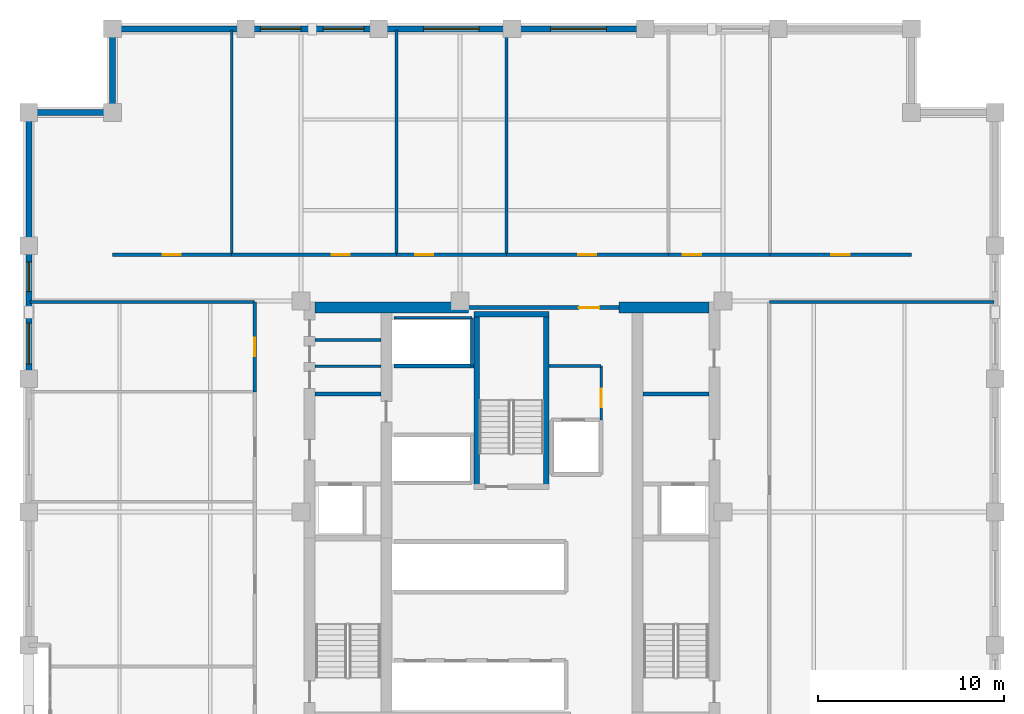
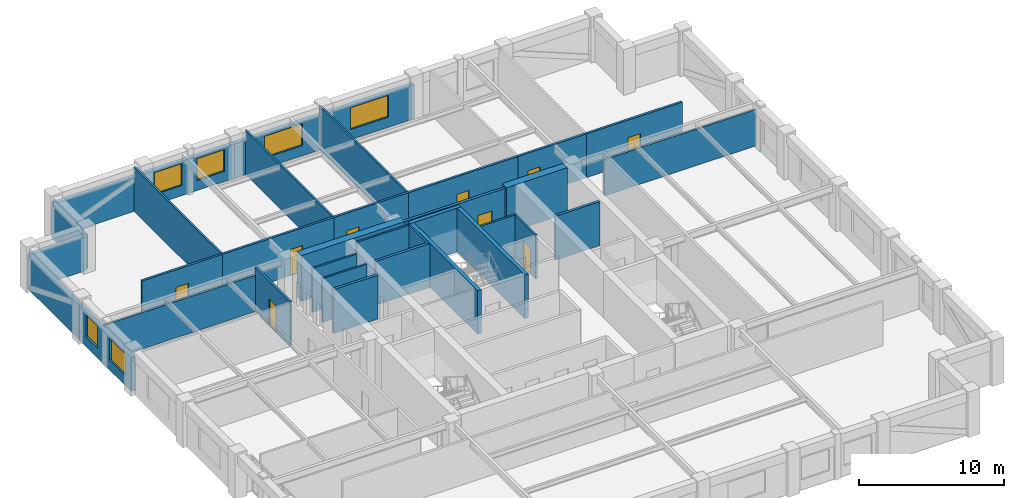
# One storey, part 8 of 11: 35 walls, 9 doors, 6 windows, 15 openings.
"""IFC4 building model written with IfcOpenShell, lengths in metres."""

from ifc_helpers import new_model, si_unit, direction, frame, frame_2d, origin, place, context, subcontext, project, spatial, rectangle, extrude, material, layer, layer_set, type_object, element, fill, save


model = new_model("IFC4")

# Units and contexts
model_context = context("Model", 3, precision=1e-05, world=origin(), true_north=direction((0.0, 1.0)))
body_context = subcontext(model_context, "Body", "Model", "MODEL_VIEW")
ifc_project = project(units=[si_unit("LENGTHUNIT", "METRE"), si_unit("AREAUNIT", "SQUARE_METRE"), si_unit("VOLUMEUNIT", "CUBIC_METRE"), si_unit("PLANEANGLEUNIT", "RADIAN"), si_unit("MASSUNIT", "GRAM", prefix="KILO")], contexts=[model_context])

# Site, building, storey
site_placement = place(None, origin())
site = spatial("IfcSite", under=ifc_project, at=site_placement, CompositionType="ELEMENT")
building_placement = place(site_placement, origin())
building = spatial("IfcBuilding", under=site, at=building_placement, Name="Nhamokura Convention Tower", CompositionType="ELEMENT")
storey_placement = place(building_placement, frame((0.0, 0.0, 168.35009765625)))
storey = spatial("IfcBuildingStorey", under=building, at=storey_placement, Name="L41", CompositionType="ELEMENT", Elevation=168.35009765625)

# Walls
ifc_material_1 = material(Name="Moisture-resistant tile-backer partition", Category="masonry")
ifc_layer_1 = layer(ifc_material_1, 0.139892578125)
ifc_layer_set_1 = layer_set([ifc_layer_1], Name="BathroomWetWall_140")
wall_type_1 = type_object("IfcWallType", Name="BathroomWetWall_140", PredefinedType="STANDARD", material=ifc_layer_set_1)
wall_1_placement = place(storey_placement, frame((21.409912109375, 39.85009765625, 0.0), z_axis=(0.0, 0.0, 1.0), x_axis=(1.0, 0.0, 0.0)))
element("IfcWall", 1, at=wall_1_placement, inside=storey, type_object=wall_type_1, Name="L41 Wall INT-L41-CWNW1", PredefinedType="STANDARD", context=body_context, shape_type="SweptSolid", body=[
    extrude(rectangle(XDim=3.530029296875, YDim=0.139892578125, at=frame_2d((1.76513671875, 0.0))), origin(), (0.0, 0.0, 1.0), 3.684814453125),
])
ifc_material_2 = material(Name="Bronze-pigmented precast concrete C45/55", Category="concrete")
ifc_layer_2 = layer(ifc_material_2, 0.320068359375)
ifc_layer_set_2 = layer_set([ifc_layer_2], Name="BronzePrecastSpandrel_320")
wall_type_2 = type_object("IfcWallType", Name="BronzePrecastSpandrel_320", PredefinedType="USERDEFINED", material=ifc_layer_set_2)
wall_2_placement = place(storey_placement, frame((10.5, 58.0, 0.0), z_axis=(0.0, 0.0, 1.0), x_axis=(1.0, 0.0, 0.0)))
element("IfcWall", 2, at=wall_2_placement, inside=storey, type_object=wall_type_2, Name="L41 Braced-Bay Precast Wall NORTH 0", ObjectType="SPANDREL_WALL", PredefinedType="USERDEFINED", context=body_context, shape_type="SweptSolid", body=[
    extrude(rectangle(XDim=7.166748046875, YDim=0.320068359375, at=frame_2d((3.58349609375, 0.0))), origin(), (0.0, 0.0, 1.0), 2.885009765625),
])

# Wall, openings, windows
wall_3_placement = place(storey_placement, frame((17.666748046875, 58.0, 0.0), z_axis=(0.0, 0.0, 1.0), x_axis=(1.0, 0.0, 0.0)))
wall_3 = element("IfcWall", 3, at=wall_3_placement, inside=storey, type_object=wall_type_2, Name="L41 Masonry-Frame Wall NORTH 1", ObjectType="SPANDREL_WALL", PredefinedType="USERDEFINED", context=body_context, shape_type="SweptSolid", body=[
    extrude(rectangle(XDim=7.16650390625, YDim=0.320068359375, at=frame_2d((3.583251953125, 0.0))), origin(), (0.0, 0.0, 1.0), 2.885009765625),
])
opening_1_placement = place(wall_3_placement, frame((0.791748046875, 0.0, 0.85009765625)))
opening_1 = element("IfcOpeningElement", 4, at=opening_1_placement, cuts=wall_3, Name="Opening W-06", PredefinedType="OPENING", context=body_context, shape_type="SweptSolid", body=[
    extrude(rectangle(XDim=2.199951171875, YDim=1.8349609375, at=frame_2d((1.10009765625, 0.91748046875))), frame((0.0, 0.169921875, 0.0), z_axis=(0.0, -1.0, 0.0), x_axis=(1.0, 0.0, 0.0)), (0.0, 0.0, 1.0), 0.340087890625),
])
opening_2_placement = place(wall_3_placement, frame((4.175048828125, 0.0, 0.85009765625)))
opening_2 = element("IfcOpeningElement", 5, at=opening_2_placement, cuts=wall_3, Name="Opening W-06", PredefinedType="OPENING", context=body_context, shape_type="SweptSolid", body=[
    extrude(rectangle(XDim=2.199951171875, YDim=1.8349609375, at=frame_2d((1.10009765625, 0.91748046875))), frame((0.0, 0.169921875, 0.0), z_axis=(0.0, -1.0, 0.0), x_axis=(1.0, 0.0, 0.0)), (0.0, 0.0, 1.0), 0.340087890625),
])
ifc_material_3 = material(Name="Solar-control bronze low-E double glass", Category="glass")
window_type_1 = type_object("IfcWindowType", Name="OfficeModuleWindow_Z2_2200", PartitioningType="SINGLE_PANEL", PredefinedType="WINDOW", material=ifc_material_3)
window_1_placement = place(opening_1_placement, origin())
window_1 = element("IfcWindow", 6, at=window_1_placement, inside=storey, type_object=window_type_1, Name="L41 Facade Window NORTH 1-1", OverallHeight=1.8349609375, OverallWidth=2.199951171875, PartitioningType="SINGLE_PANEL", PredefinedType="WINDOW", context=body_context, shape_type="SweptSolid", body=[
    extrude(rectangle(XDim=2.199951171875, YDim=1.8349609375, at=frame_2d((1.10009765625, 0.91748046875))), frame((0.0, 0.030029296875, 0.0), z_axis=(0.0, -1.0, 0.0), x_axis=(1.0, 0.0, 0.0)), (0.0, 0.0, 1.0), 0.06005859375),
])
fill(opening_1, window_1)
window_2_placement = place(opening_2_placement, origin())
window_2 = element("IfcWindow", 7, at=window_2_placement, inside=storey, type_object=window_type_1, Name="L41 Facade Window NORTH 1-2", OverallHeight=1.8349609375, OverallWidth=2.199951171875, PartitioningType="SINGLE_PANEL", PredefinedType="WINDOW", context=body_context, shape_type="SweptSolid", body=[
    extrude(rectangle(XDim=2.199951171875, YDim=1.8349609375, at=frame_2d((1.10009765625, 0.91748046875))), frame((0.0, 0.030029296875, 0.0), z_axis=(0.0, -1.0, 0.0), x_axis=(1.0, 0.0, 0.0)), (0.0, 0.0, 1.0), 0.06005859375),
])
fill(opening_2, window_2)

# Wall, opening, window
wall_4_placement = place(storey_placement, frame((24.833251953125, 58.0, 0.0), z_axis=(0.0, 0.0, 1.0), x_axis=(1.0, 0.0, 0.0)))
wall_4 = element("IfcWall", 8, at=wall_4_placement, inside=storey, type_object=wall_type_2, Name="L41 Masonry-Frame Wall NORTH 2", ObjectType="SPANDREL_WALL", PredefinedType="USERDEFINED", context=body_context, shape_type="SweptSolid", body=[
    extrude(rectangle(XDim=7.166748046875, YDim=0.320068359375, at=frame_2d((3.58349609375, 0.0))), origin(), (0.0, 0.0, 1.0), 2.885009765625),
])
opening_3_placement = place(wall_4_placement, frame((2.395751953125, 0.0, 0.85009765625)))
opening_3 = element("IfcOpeningElement", 9, at=opening_3_placement, cuts=wall_4, Name="Opening W-05", PredefinedType="OPENING", context=body_context, shape_type="SweptSolid", body=[
    extrude(rectangle(XDim=3.0, YDim=1.8349609375, at=frame_2d((1.5, 0.91748046875))), frame((0.0, 0.169921875, 0.0), z_axis=(0.0, -1.0, 0.0), x_axis=(1.0, 0.0, 0.0)), (0.0, 0.0, 1.0), 0.340087890625),
])
ifc_material_4 = material(Name="Solar-control bronze low-E double glass", Category="glass")
window_type_2 = type_object("IfcWindowType", Name="OfficeModuleWindow_Z2_3000", PartitioningType="DOUBLE_PANEL_VERTICAL", PredefinedType="WINDOW", material=ifc_material_4)
window_3_placement = place(opening_3_placement, origin())
window_3 = element("IfcWindow", 10, at=window_3_placement, inside=storey, type_object=window_type_2, Name="L41 Facade Window NORTH 2", OverallHeight=1.8349609375, OverallWidth=3.0, PartitioningType="SINGLE_PANEL", PredefinedType="WINDOW", context=body_context, shape_type="SweptSolid", body=[
    extrude(rectangle(XDim=3.0, YDim=1.8349609375, at=frame_2d((1.5, 0.91748046875))), frame((0.0, 0.030029296875, 0.0), z_axis=(0.0, -1.0, 0.0), x_axis=(1.0, 0.0, 0.0)), (0.0, 0.0, 1.0), 0.06005859375),
])
fill(opening_3, window_3)

wall_5_placement = place(storey_placement, frame((32.0, 58.0, 0.0), z_axis=(0.0, 0.0, 1.0), x_axis=(1.0, 0.0, 0.0)))
wall_5 = element("IfcWall", 11, at=wall_5_placement, inside=storey, type_object=wall_type_2, Name="L41 Masonry-Frame Wall NORTH 3", ObjectType="SPANDREL_WALL", PredefinedType="USERDEFINED", context=body_context, shape_type="SweptSolid", body=[
    extrude(rectangle(XDim=7.166748046875, YDim=0.320068359375, at=frame_2d((3.58349609375, 0.0))), origin(), (0.0, 0.0, 1.0), 2.885009765625),
])
opening_4_placement = place(wall_5_placement, frame((2.083251953125, 0.0, 0.85009765625)))
opening_4 = element("IfcOpeningElement", 12, at=opening_4_placement, cuts=wall_5, Name="Opening W-05", PredefinedType="OPENING", context=body_context, shape_type="SweptSolid", body=[
    extrude(rectangle(XDim=3.0, YDim=1.8349609375, at=frame_2d((1.5, 0.91748046875))), frame((0.0, 0.169921875, 0.0), z_axis=(0.0, -1.0, 0.0), x_axis=(1.0, 0.0, 0.0)), (0.0, 0.0, 1.0), 0.340087890625),
])
window_4_placement = place(opening_4_placement, origin())
window_4 = element("IfcWindow", 13, at=window_4_placement, inside=storey, type_object=window_type_2, Name="L41 Facade Window NORTH 3", OverallHeight=1.8349609375, OverallWidth=3.0, PartitioningType="SINGLE_PANEL", PredefinedType="WINDOW", context=body_context, shape_type="SweptSolid", body=[
    extrude(rectangle(XDim=3.0, YDim=1.8349609375, at=frame_2d((1.5, 0.91748046875))), frame((0.0, 0.030029296875, 0.0), z_axis=(0.0, -1.0, 0.0), x_axis=(1.0, 0.0, 0.0)), (0.0, 0.0, 1.0), 0.06005859375),
])
fill(opening_4, window_4)

# Wall, openings, windows
wall_6_placement = place(storey_placement, frame((6.0, 39.166748046875, 0.0), z_axis=(0.0, 0.0, 1.0), x_axis=(0.0, 1.0, 0.0)))
wall_6 = element("IfcWall", 14, at=wall_6_placement, inside=storey, type_object=wall_type_2, Name="L41 Masonry-Frame Wall WEST 4", ObjectType="SPANDREL_WALL", PredefinedType="USERDEFINED", context=body_context, shape_type="SweptSolid", body=[
    extrude(rectangle(XDim=7.16650390625, YDim=0.320068359375, at=frame_2d((3.583251953125, 0.0))), origin(), (0.0, 0.0, 1.0), 2.885009765625),
])
opening_5_placement = place(wall_6_placement, frame((0.791748046875, 0.0, 0.85009765625)))
opening_5 = element("IfcOpeningElement", 15, at=opening_5_placement, cuts=wall_6, Name="Opening W-06", PredefinedType="OPENING", context=body_context, shape_type="SweptSolid", body=[
    extrude(rectangle(XDim=2.199951171875, YDim=1.8349609375, at=frame_2d((1.10009765625, 0.91748046875))), frame((0.0, 0.169921875, 0.0), z_axis=(0.0, -1.0, 0.0), x_axis=(1.0, 0.0, 0.0)), (0.0, 0.0, 1.0), 0.340087890625),
])
opening_6_placement = place(wall_6_placement, frame((4.6875, 0.0, 0.85009765625)))
opening_6 = element("IfcOpeningElement", 16, at=opening_6_placement, cuts=wall_6, Name="Opening W-11", PredefinedType="OPENING", context=body_context, shape_type="SweptSolid", body=[
    extrude(rectangle(XDim=1.60009765625, YDim=1.8349609375, at=frame_2d((0.800048828125, 0.91748046875))), frame((0.0, 0.169921875, 0.0), z_axis=(0.0, -1.0, 0.0), x_axis=(1.0, 0.0, 0.0)), (0.0, 0.0, 1.0), 0.340087890625),
])
ifc_material_5 = material(Name="Solar-control bronze low-E double glass", Category="glass")
window_type_3 = type_object("IfcWindowType", Name="NotchCornerWindow_1600", PartitioningType="SINGLE_PANEL", PredefinedType="WINDOW", material=ifc_material_5)
window_5_placement = place(opening_6_placement, origin())
window_5 = element("IfcWindow", 17, at=window_5_placement, inside=storey, type_object=window_type_3, Name="L41 Facade Window WEST 4-2", OverallHeight=1.8349609375, OverallWidth=1.60009765625, PartitioningType="SINGLE_PANEL", PredefinedType="WINDOW", context=body_context, shape_type="SweptSolid", body=[
    extrude(rectangle(XDim=1.60009765625, YDim=1.8349609375, at=frame_2d((0.800048828125, 0.91748046875))), frame((0.0, 0.030029296875, 0.0), z_axis=(0.0, -1.0, 0.0), x_axis=(1.0, 0.0, 0.0)), (0.0, 0.0, 1.0), 0.06005859375),
])
fill(opening_6, window_5)
window_6_placement = place(opening_5_placement, origin())
window_6 = element("IfcWindow", 18, at=window_6_placement, inside=storey, type_object=window_type_1, Name="L41 Facade Window WEST 4-1", OverallHeight=1.8349609375, OverallWidth=2.199951171875, PartitioningType="SINGLE_PANEL", PredefinedType="WINDOW", context=body_context, shape_type="SweptSolid", body=[
    extrude(rectangle(XDim=2.199951171875, YDim=1.8349609375, at=frame_2d((1.10009765625, 0.91748046875))), frame((0.0, 0.030029296875, 0.0), z_axis=(0.0, -1.0, 0.0), x_axis=(1.0, 0.0, 0.0)), (0.0, 0.0, 1.0), 0.06005859375),
])
fill(opening_5, window_6)

# Walls
wall_7_placement = place(storey_placement, frame((6.0, 46.333251953125, 0.0), z_axis=(0.0, 0.0, 1.0), x_axis=(0.0, 1.0, 0.0)))
element("IfcWall", 19, at=wall_7_placement, inside=storey, type_object=wall_type_2, Name="L41 Braced-Bay Precast Wall WEST 5", ObjectType="SPANDREL_WALL", PredefinedType="USERDEFINED", context=body_context, shape_type="SweptSolid", body=[
    extrude(rectangle(XDim=7.166748046875, YDim=0.320068359375, at=frame_2d((3.58349609375, 0.0))), origin(), (0.0, 0.0, 1.0), 2.885009765625),
])
for number, where, z_axis, x_axis, name in (
    (20, (10.5, 53.5, 0.0), (0.0, 0.0, 1.0), (0.0, 1.0, 0.0), "L41 Notched Corner Wall NW1"),
    (21, (6.0, 53.5, 0.0), (0.0, 0.0, 1.0), (1.0, 0.0, 0.0), "L41 Notched Corner Wall NW2"),
):
    element("IfcWall", number, at=place(storey_placement, frame(where, z_axis=z_axis, x_axis=x_axis)), inside=storey, type_object=wall_type_2, Name=name, ObjectType="SPANDREL_WALL", PredefinedType="USERDEFINED", context=body_context, shape_type="SweptSolid", body=[
        extrude(rectangle(XDim=4.5, YDim=0.320068359375, at=frame_2d((2.25, 0.0))), origin(), (0.0, 0.0, 1.0), 2.885009765625),
    ])
ifc_material_6 = material(Name="Concrete C60/75", Category="concrete")
ifc_layer_3 = layer(ifc_material_6, 0.60009765625)
ifc_layer_set_3 = layer_set([ifc_layer_3], Name="CoreShearWall_600")
wall_type_3 = type_object("IfcWallType", Name="CoreShearWall_600", PredefinedType="SHEAR", material=ifc_layer_set_3)
wall_8_placement = place(storey_placement, frame((21.409912109375, 43.0, 0.0), z_axis=(0.0, 0.0, 1.0), x_axis=(1.0, 0.0, 0.0)))
element("IfcWall", 22, at=wall_8_placement, inside=storey, type_object=wall_type_3, Name="L41 Core Shear Wall CW-N1", PredefinedType="SHEAR", context=body_context, shape_type="SweptSolid", body=[
    extrude(rectangle(XDim=8.239990234375, YDim=0.60009765625, at=frame_2d((4.1201171875, 0.0))), origin(), (0.0, 0.0, 1.0), 3.849853515625),
])
wall_9_placement = place(storey_placement, frame((37.75, 43.0, 0.0), z_axis=(0.0, 0.0, 1.0), x_axis=(1.0, 0.0, 0.0)))
element("IfcWall", 23, at=wall_9_placement, inside=storey, type_object=wall_type_3, Name="L41 Core Shear Wall CW-N2", PredefinedType="SHEAR", context=body_context, shape_type="SweptSolid", body=[
    extrude(rectangle(XDim=4.840087890625, YDim=0.60009765625, at=frame_2d((2.419921875, 0.0))), origin(), (0.0, 0.0, 1.0), 3.849853515625),
])

# Wall, opening, door
ifc_material_7 = material(Name="Fire-rated gypsum and masonry partition", Category="masonry")
ifc_layer_4 = layer(ifc_material_7, 0.179931640625)
ifc_layer_set_4 = layer_set([ifc_layer_4], Name="CorridorRatedWall_180")
wall_type_4 = type_object("IfcWallType", Name="CorridorRatedWall_180", PredefinedType="STANDARD", material=ifc_layer_set_4)
wall_10_placement = place(storey_placement, frame((10.5, 45.85009765625, 0.0), z_axis=(0.0, 0.0, 1.0), x_axis=(1.0, 0.0, 0.0)))
wall_10 = element("IfcWall", 24, at=wall_10_placement, inside=storey, type_object=wall_type_4, Name="L41 Wall INT-L41-CW-N00", PredefinedType="STANDARD", context=body_context, shape_type="SweptSolid", body=[
    extrude(rectangle(XDim=6.416748046875, YDim=0.179931640625, at=frame_2d((3.20849609375, 0.0))), origin(), (0.0, 0.0, 1.0), 3.684814453125),
])
opening_7_placement = place(wall_10_placement, frame((2.708251953125, 0.0, 0.0)))
opening_7 = element("IfcOpeningElement", 25, at=opening_7_placement, cuts=wall_10, Name="Opening D-08", PredefinedType="OPENING", context=body_context, shape_type="SweptSolid", body=[
    extrude(rectangle(XDim=0.97998046875, YDim=2.199951171875, at=frame_2d((0.489990234375, 1.10009765625))), frame((0.0, 0.099853515625, 0.0), z_axis=(0.0, -1.0, 0.0), x_axis=(1.0, 0.0, 0.0)), (0.0, 0.0, 1.0), 0.199951171875),
])
ifc_material_8 = material(Name="Solid oak hardwood", Category="wood")
door_type_1 = type_object("IfcDoorType", Name="OfficeEntryDoor_980", OperationType="NOTDEFINED", PredefinedType="DOOR", material=ifc_material_8)
door_1_placement = place(opening_7_placement, origin())
door_1 = element("IfcDoor", 26, at=door_1_placement, inside=storey, type_object=door_type_1, Name="L41 Meeting Room N01 Door", OperationType="SINGLE_SWING_LEFT", OverallHeight=2.199951171875, OverallWidth=0.97998046875, PredefinedType="DOOR", context=body_context, shape_type="SweptSolid", body=[
    extrude(rectangle(XDim=0.97998046875, YDim=2.199951171875, at=frame_2d((0.489990234375, 1.10009765625))), frame((0.0, 0.02490234375, 0.0), z_axis=(0.0, -1.0, 0.0), x_axis=(1.0, 0.0, 0.0)), (0.0, 0.0, 1.0), 0.050048828125),
])
fill(opening_7, door_1)

wall_11_placement = place(storey_placement, frame((16.916748046875, 45.85009765625, 0.0), z_axis=(0.0, 0.0, 1.0), x_axis=(1.0, 0.0, 0.0)))
wall_11 = element("IfcWall", 27, at=wall_11_placement, inside=storey, type_object=wall_type_4, Name="L41 Wall INT-L41-CW-N01", PredefinedType="STANDARD", context=body_context, shape_type="SweptSolid", body=[
    extrude(rectangle(XDim=8.866455078125, YDim=0.179931640625, at=frame_2d((4.43310546875, 0.0))), origin(), (0.0, 0.0, 1.0), 3.684814453125),
])
opening_8_placement = place(wall_11_placement, frame((5.38330078125, 0.0, 0.0)))
opening_8 = element("IfcOpeningElement", 28, at=opening_8_placement, cuts=wall_11, Name="Opening D-08", PredefinedType="OPENING", context=body_context, shape_type="SweptSolid", body=[
    extrude(rectangle(XDim=0.97998046875, YDim=2.199951171875, at=frame_2d((0.489990234375, 1.10009765625))), frame((0.0, 0.099853515625, 0.0), z_axis=(0.0, -1.0, 0.0), x_axis=(1.0, 0.0, 0.0)), (0.0, 0.0, 1.0), 0.199951171875),
])
door_2_placement = place(opening_8_placement, origin())
door_2 = element("IfcDoor", 29, at=door_2_placement, inside=storey, type_object=door_type_1, Name="L41 Meeting Room N02 Door", OperationType="SINGLE_SWING_RIGHT", OverallHeight=2.199951171875, OverallWidth=0.97998046875, PredefinedType="DOOR", context=body_context, shape_type="SweptSolid", body=[
    extrude(rectangle(XDim=0.97998046875, YDim=2.199951171875, at=frame_2d((0.489990234375, 1.10009765625))), frame((0.0, 0.02490234375, 0.0), z_axis=(0.0, -1.0, 0.0), x_axis=(1.0, 0.0, 0.0)), (0.0, 0.0, 1.0), 0.050048828125),
])
fill(opening_8, door_2)

wall_12_placement = place(storey_placement, frame((25.783203125, 45.85009765625, 0.0), z_axis=(0.0, 0.0, 1.0), x_axis=(1.0, 0.0, 0.0)))
wall_12 = element("IfcWall", 30, at=wall_12_placement, inside=storey, type_object=wall_type_4, Name="L41 Wall INT-L41-CW-N02", PredefinedType="STANDARD", context=body_context, shape_type="SweptSolid", body=[
    extrude(rectangle(XDim=5.916748046875, YDim=0.179931640625, at=frame_2d((2.95849609375, 0.0))), origin(), (0.0, 0.0, 1.0), 3.684814453125),
])
opening_9_placement = place(wall_12_placement, frame((1.00830078125, 0.0, 0.0)))
opening_9 = element("IfcOpeningElement", 31, at=opening_9_placement, cuts=wall_12, Name="Opening D-08", PredefinedType="OPENING", context=body_context, shape_type="SweptSolid", body=[
    extrude(rectangle(XDim=0.97998046875, YDim=2.199951171875, at=frame_2d((0.489990234375, 1.10009765625))), frame((0.0, 0.099853515625, 0.0), z_axis=(0.0, -1.0, 0.0), x_axis=(1.0, 0.0, 0.0)), (0.0, 0.0, 1.0), 0.199951171875),
])
door_3_placement = place(opening_9_placement, origin())
door_3 = element("IfcDoor", 32, at=door_3_placement, inside=storey, type_object=door_type_1, Name="L41 Meeting Room N03 Door", OperationType="SINGLE_SWING_LEFT", OverallHeight=2.199951171875, OverallWidth=0.97998046875, PredefinedType="DOOR", context=body_context, shape_type="SweptSolid", body=[
    extrude(rectangle(XDim=0.97998046875, YDim=2.199951171875, at=frame_2d((0.489990234375, 1.10009765625))), frame((0.0, 0.02490234375, 0.0), z_axis=(0.0, -1.0, 0.0), x_axis=(1.0, 0.0, 0.0)), (0.0, 0.0, 1.0), 0.050048828125),
])
fill(opening_9, door_3)

wall_13_placement = place(storey_placement, frame((31.699951171875, 45.85009765625, 0.0), z_axis=(0.0, 0.0, 1.0), x_axis=(1.0, 0.0, 0.0)))
wall_13 = element("IfcWall", 33, at=wall_13_placement, inside=storey, type_object=wall_type_4, Name="L41 Wall INT-L41-CW-N03", PredefinedType="STANDARD", context=body_context, shape_type="SweptSolid", body=[
    extrude(rectangle(XDim=8.716796875, YDim=0.179931640625, at=frame_2d((4.3583984375, 0.0))), origin(), (0.0, 0.0, 1.0), 3.684814453125),
])
opening_10_placement = place(wall_13_placement, frame((3.8583984375, 0.0, 0.0)))
opening_10 = element("IfcOpeningElement", 34, at=opening_10_placement, cuts=wall_13, Name="Opening D-08", PredefinedType="OPENING", context=body_context, shape_type="SweptSolid", body=[
    extrude(rectangle(XDim=0.97998046875, YDim=2.199951171875, at=frame_2d((0.489990234375, 1.10009765625))), frame((0.0, 0.099853515625, 0.0), z_axis=(0.0, -1.0, 0.0), x_axis=(1.0, 0.0, 0.0)), (0.0, 0.0, 1.0), 0.199951171875),
])
door_4_placement = place(opening_10_placement, origin())
door_4 = element("IfcDoor", 35, at=door_4_placement, inside=storey, type_object=door_type_1, Name="L41 Meeting Room N04 Door", OperationType="SINGLE_SWING_RIGHT", OverallHeight=2.199951171875, OverallWidth=0.97998046875, PredefinedType="DOOR", context=body_context, shape_type="SweptSolid", body=[
    extrude(rectangle(XDim=0.97998046875, YDim=2.199951171875, at=frame_2d((0.489990234375, 1.10009765625))), frame((0.0, 0.02490234375, 0.0), z_axis=(0.0, -1.0, 0.0), x_axis=(1.0, 0.0, 0.0)), (0.0, 0.0, 1.0), 0.050048828125),
])
fill(opening_10, door_4)

wall_14_placement = place(storey_placement, frame((40.416748046875, 45.85009765625, 0.0), z_axis=(0.0, 0.0, 1.0), x_axis=(1.0, 0.0, 0.0)))
wall_14 = element("IfcWall", 36, at=wall_14_placement, inside=storey, type_object=wall_type_4, Name="L41 Wall INT-L41-CW-N04", PredefinedType="STANDARD", context=body_context, shape_type="SweptSolid", body=[
    extrude(rectangle(XDim=5.466552734375, YDim=0.179931640625, at=frame_2d((2.7333984375, 0.0))), origin(), (0.0, 0.0, 1.0), 3.684814453125),
])
opening_11_placement = place(wall_14_placement, frame((0.783203125, 0.0, 0.0)))
opening_11 = element("IfcOpeningElement", 37, at=opening_11_placement, cuts=wall_14, Name="Opening D-08", PredefinedType="OPENING", context=body_context, shape_type="SweptSolid", body=[
    extrude(rectangle(XDim=0.97998046875, YDim=2.199951171875, at=frame_2d((0.489990234375, 1.10009765625))), frame((0.0, 0.099853515625, 0.0), z_axis=(0.0, -1.0, 0.0), x_axis=(1.0, 0.0, 0.0)), (0.0, 0.0, 1.0), 0.199951171875),
])
door_5_placement = place(opening_11_placement, origin())
door_5 = element("IfcDoor", 38, at=door_5_placement, inside=storey, type_object=door_type_1, Name="L41 Meeting Room N05 Door", OperationType="SINGLE_SWING_LEFT", OverallHeight=2.199951171875, OverallWidth=0.97998046875, PredefinedType="DOOR", context=body_context, shape_type="SweptSolid", body=[
    extrude(rectangle(XDim=0.97998046875, YDim=2.199951171875, at=frame_2d((0.489990234375, 1.10009765625))), frame((0.0, 0.02490234375, 0.0), z_axis=(0.0, -1.0, 0.0), x_axis=(1.0, 0.0, 0.0)), (0.0, 0.0, 1.0), 0.050048828125),
])
fill(opening_11, door_5)

wall_15_placement = place(storey_placement, frame((45.88330078125, 45.85009765625, 0.0), z_axis=(0.0, 0.0, 1.0), x_axis=(1.0, 0.0, 0.0)))
wall_15 = element("IfcWall", 39, at=wall_15_placement, inside=storey, type_object=wall_type_4, Name="L41 Wall INT-L41-CW-N05", PredefinedType="STANDARD", context=body_context, shape_type="SweptSolid", body=[
    extrude(rectangle(XDim=7.61669921875, YDim=0.179931640625, at=frame_2d((3.808349609375, 0.0))), origin(), (0.0, 0.0, 1.0), 3.684814453125),
])
opening_12_placement = place(wall_15_placement, frame((3.308349609375, 0.0, 0.0)))
opening_12 = element("IfcOpeningElement", 40, at=opening_12_placement, cuts=wall_15, Name="Opening D-08", PredefinedType="OPENING", context=body_context, shape_type="SweptSolid", body=[
    extrude(rectangle(XDim=0.97998046875, YDim=2.199951171875, at=frame_2d((0.489990234375, 1.10009765625))), frame((0.0, 0.099853515625, 0.0), z_axis=(0.0, -1.0, 0.0), x_axis=(1.0, 0.0, 0.0)), (0.0, 0.0, 1.0), 0.199951171875),
])
door_6_placement = place(opening_12_placement, origin())
door_6 = element("IfcDoor", 41, at=door_6_placement, inside=storey, type_object=door_type_1, Name="L41 Meeting Room N06 Door", OperationType="SINGLE_SWING_RIGHT", OverallHeight=2.199951171875, OverallWidth=0.97998046875, PredefinedType="DOOR", context=body_context, shape_type="SweptSolid", body=[
    extrude(rectangle(XDim=0.97998046875, YDim=2.199951171875, at=frame_2d((0.489990234375, 1.10009765625))), frame((0.0, 0.02490234375, 0.0), z_axis=(0.0, -1.0, 0.0), x_axis=(1.0, 0.0, 0.0)), (0.0, 0.0, 1.0), 0.050048828125),
])
fill(opening_12, door_6)

wall_16_placement = place(storey_placement, frame((18.14990234375, 38.466796875, 0.0), z_axis=(0.0, 0.0, 1.0), x_axis=(0.0, 1.0, 0.0)))
wall_16 = element("IfcWall", 42, at=wall_16_placement, inside=storey, type_object=wall_type_4, Name="L41 Wall INT-L41-CW-W03", PredefinedType="STANDARD", context=body_context, shape_type="SweptSolid", body=[
    extrude(rectangle(XDim=4.833251953125, YDim=0.179931640625, at=frame_2d((2.41650390625, 0.0))), origin(), (0.0, 0.0, 1.0), 3.684814453125),
])
opening_13_placement = place(wall_16_placement, frame((1.91650390625, 0.0, 0.0)))
opening_13 = element("IfcOpeningElement", 43, at=opening_13_placement, cuts=wall_16, Name="Opening D-08", PredefinedType="OPENING", context=body_context, shape_type="SweptSolid", body=[
    extrude(rectangle(XDim=0.97998046875, YDim=2.199951171875, at=frame_2d((0.489990234375, 1.10009765625))), frame((0.0, 0.099853515625, 0.0), z_axis=(0.0, -1.0, 0.0), x_axis=(1.0, 0.0, 0.0)), (0.0, 0.0, 1.0), 0.199951171875),
])
door_7_placement = place(opening_13_placement, origin())
door_7 = element("IfcDoor", 44, at=door_7_placement, inside=storey, type_object=door_type_1, Name="L41 Private Office W04 Door", OperationType="SINGLE_SWING_RIGHT", OverallHeight=2.199951171875, OverallWidth=0.97998046875, PredefinedType="DOOR", context=body_context, shape_type="SweptSolid", body=[
    extrude(rectangle(XDim=0.97998046875, YDim=2.199951171875, at=frame_2d((0.489990234375, 1.10009765625))), frame((0.0, 0.02490234375, 0.0), z_axis=(0.0, -1.0, 0.0), x_axis=(1.0, 0.0, 0.0)), (0.0, 0.0, 1.0), 0.050048828125),
])
fill(opening_13, door_7)

# Walls
ifc_material_9 = material(Name="Autoclaved concrete blockwork", Category="masonry")
ifc_layer_5 = layer(ifc_material_9, 0.219970703125)
ifc_layer_set_5 = layer_set([ifc_layer_5], Name="FireLobbyWall_220")
wall_type_5 = type_object("IfcWallType", Name="FireLobbyWall_220", PredefinedType="STANDARD", material=ifc_layer_set_5)
for number, where, z_axis, x_axis, name in (
    (45, (21.409912109375, 38.35009765625, 0.0), (0.0, 0.0, 1.0), (1.0, 0.0, 0.0), "L41 Wall INT-L41-FFW-N"),
    (46, (39.06005859375, 38.35009765625, 0.0), (0.0, 0.0, 1.0), (1.0, 0.0, 0.0), "L41 Wall INT-L41-FFE-N"),
):
    element("IfcWall", number, at=place(storey_placement, frame(where, z_axis=z_axis, x_axis=x_axis)), inside=storey, type_object=wall_type_5, Name=name, PredefinedType="STANDARD", context=body_context, shape_type="SweptSolid", body=[
        extrude(rectangle(XDim=3.530029296875, YDim=0.219970703125, at=frame_2d((1.76513671875, 0.0))), origin(), (0.0, 0.0, 1.0), 3.684814453125),
    ])
wall_17_placement = place(storey_placement, frame((25.64990234375, 39.85009765625, 0.0), z_axis=(0.0, 0.0, 1.0), x_axis=(1.0, 0.0, 0.0)))
element("IfcWall", 47, at=wall_17_placement, inside=storey, type_object=wall_type_5, Name="L41 Wall INT-L41-B3N", PredefinedType="STANDARD", context=body_context, shape_type="SweptSolid", body=[
    extrude(rectangle(XDim=4.300048828125, YDim=0.219970703125, at=frame_2d((2.14990234375, 0.0))), origin(), (0.0, 0.0, 1.0), 3.684814453125),
])

# Wall, opening, door
wall_18_placement = place(storey_placement, frame((29.64990234375, 43.0, 0.0), z_axis=(0.0, 0.0, 1.0), x_axis=(1.0, 0.0, 0.0)))
wall_18 = element("IfcWall", 48, at=wall_18_placement, inside=storey, type_object=wall_type_5, Name="L41 Wall INT-L41-CPORT-N", PredefinedType="STANDARD", context=body_context, shape_type="SweptSolid", body=[
    extrude(rectangle(XDim=8.10009765625, YDim=0.219970703125, at=frame_2d((4.050048828125, 0.0))), origin(), (0.0, 0.0, 1.0), 3.684814453125),
])
opening_14_placement = place(wall_18_placement, frame((5.949951171875, 0.0, 0.0)))
opening_14 = element("IfcOpeningElement", 49, at=opening_14_placement, cuts=wall_18, Name="Opening D-05", PredefinedType="OPENING", context=body_context, shape_type="SweptSolid", body=[
    extrude(rectangle(XDim=1.10009765625, YDim=2.14990234375, at=frame_2d((0.550048828125, 1.074951171875))), frame((0.0, 0.119873046875, 0.0), z_axis=(0.0, -1.0, 0.0), x_axis=(1.0, 0.0, 0.0)), (0.0, 0.0, 1.0), 0.239990234375),
])
ifc_material_10 = material(Name="Fire-rated steel door", Category="steel")
door_type_2 = type_object("IfcDoorType", Name="FireLobbyDoor_1100", OperationType="NOTDEFINED", PredefinedType="DOOR", material=ifc_material_10)
door_8_placement = place(opening_14_placement, origin())
door_8 = element("IfcDoor", 50, at=door_8_placement, inside=storey, type_object=door_type_2, Name="L41 North Core Lobby Portal Door", OperationType="SINGLE_SWING_RIGHT", OverallHeight=2.14990234375, OverallWidth=1.10009765625, PredefinedType="DOOR", context=body_context, shape_type="SweptSolid", body=[
    extrude(rectangle(XDim=1.10009765625, YDim=2.14990234375, at=frame_2d((0.550048828125, 1.074951171875))), frame((0.0, 0.02490234375, 0.0), z_axis=(0.0, -1.0, 0.0), x_axis=(1.0, 0.0, 0.0)), (0.0, 0.0, 1.0), 0.050048828125),
])
fill(opening_14, door_8)

# Walls
ifc_material_11 = material(Name="Acoustic gypsum stud partition", Category="masonry")
ifc_layer_6 = layer(ifc_material_11, 0.14990234375)
ifc_layer_set_6 = layer_set([ifc_layer_6], Name="InteriorPartition_150")
wall_type_6 = type_object("IfcWallType", Name="InteriorPartition_150", PredefinedType="STANDARD", material=ifc_layer_set_6)
wall_19_placement = place(storey_placement, frame((21.409912109375, 41.25, 0.0), z_axis=(0.0, 0.0, 1.0), x_axis=(1.0, 0.0, 0.0)))
element("IfcWall", 51, at=wall_19_placement, inside=storey, type_object=wall_type_6, Name="L41 Wall INT-L41-CWNW2", PredefinedType="STANDARD", context=body_context, shape_type="SweptSolid", body=[
    extrude(rectangle(XDim=3.530029296875, YDim=0.14990234375, at=frame_2d((1.76513671875, 0.0))), origin(), (0.0, 0.0, 1.0), 3.684814453125),
])
wall_20_placement = place(storey_placement, frame((34.0, 39.85009765625, 0.0), z_axis=(0.0, 0.0, 1.0), x_axis=(1.0, 0.0, 0.0)))
element("IfcWall", 52, at=wall_20_placement, inside=storey, type_object=wall_type_6, Name="L41 Wall INT-L41-NE-TELN", PredefinedType="STANDARD", context=body_context, shape_type="SweptSolid", body=[
    extrude(rectangle(XDim=2.800048828125, YDim=0.14990234375, at=frame_2d((1.39990234375, 0.0))), origin(), (0.0, 0.0, 1.0), 3.684814453125),
])

# Wall, opening, door
wall_21_placement = place(storey_placement, frame((36.800048828125, 36.949951171875, 0.0), z_axis=(0.0, 0.0, 1.0), x_axis=(0.0, 1.0, 0.0)))
wall_21 = element("IfcWall", 53, at=wall_21_placement, inside=storey, type_object=wall_type_6, Name="L41 Wall INT-L41-NE-TELE", PredefinedType="STANDARD", context=body_context, shape_type="SweptSolid", body=[
    extrude(rectangle(XDim=2.900146484375, YDim=0.14990234375, at=frame_2d((1.4501953125, 0.0))), origin(), (0.0, 0.0, 1.0), 3.684814453125),
])
opening_15_placement = place(wall_21_placement, frame((0.699951171875, 0.0, 0.0)))
opening_15 = element("IfcOpeningElement", 54, at=opening_15_placement, cuts=wall_21, Name="Opening D-08", PredefinedType="OPENING", context=body_context, shape_type="SweptSolid", body=[
    extrude(rectangle(XDim=0.97998046875, YDim=2.199951171875, at=frame_2d((0.489990234375, 1.10009765625))), frame((0.0, 0.0849609375, 0.0), z_axis=(0.0, -1.0, 0.0), x_axis=(1.0, 0.0, 0.0)), (0.0, 0.0, 1.0), 0.169921875),
])
door_9_placement = place(opening_15_placement, origin())
door_9 = element("IfcDoor", 55, at=door_9_placement, inside=storey, type_object=door_type_1, Name="L41 Core Telecom Door", OperationType="SINGLE_SWING_LEFT", OverallHeight=2.199951171875, OverallWidth=0.97998046875, PredefinedType="DOOR", context=body_context, shape_type="SweptSolid", body=[
    extrude(rectangle(XDim=0.97998046875, YDim=2.199951171875, at=frame_2d((0.489990234375, 1.10009765625))), frame((0.0, 0.02490234375, 0.0), z_axis=(0.0, -1.0, 0.0), x_axis=(1.0, 0.0, 0.0)), (0.0, 0.0, 1.0), 0.050048828125),
])
fill(opening_15, door_9)

# Walls
wall_22_placement = place(storey_placement, frame((25.64990234375, 42.449951171875, 0.0), z_axis=(0.0, 0.0, 1.0), x_axis=(1.0, 0.0, 0.0)))
element("IfcWall", 56, at=wall_22_placement, inside=storey, type_object=wall_type_6, Name="L41 Wall INT-L41-B3B-N", PredefinedType="STANDARD", context=body_context, shape_type="SweptSolid", body=[
    extrude(rectangle(XDim=4.2001953125, YDim=0.14990234375, at=frame_2d((2.10009765625, 0.0))), origin(), (0.0, 0.0, 1.0), 3.684814453125),
])
wall_23_placement = place(storey_placement, frame((29.85009765625, 39.85009765625, 0.0), z_axis=(0.0, 0.0, 1.0), x_axis=(0.0, 1.0, 0.0)))
element("IfcWall", 57, at=wall_23_placement, inside=storey, type_object=wall_type_6, Name="L41 Wall INT-L41-B3B-E", PredefinedType="STANDARD", context=body_context, shape_type="SweptSolid", body=[
    extrude(rectangle(XDim=2.599853515625, YDim=0.14990234375, at=frame_2d((1.2998046875, 0.0))), origin(), (0.0, 0.0, 1.0), 3.684814453125),
])
for number, where, z_axis, x_axis, name in (
    (58, (16.916748046875, 45.85009765625, 0.0), (0.0, 0.0, 1.0), (0.0, 1.0, 0.0), "L41 Wall INT-L41-RW-N01"),
    (59, (25.783203125, 45.85009765625, 0.0), (0.0, 0.0, 1.0), (0.0, 1.0, 0.0), "L41 Wall INT-L41-RW-N02"),
    (60, (31.699951171875, 45.85009765625, 0.0), (0.0, 0.0, 1.0), (0.0, 1.0, 0.0), "L41 Wall INT-L41-RW-N03"),
):
    element("IfcWall", number, at=place(storey_placement, frame(where, z_axis=z_axis, x_axis=x_axis)), inside=storey, type_object=wall_type_6, Name=name, PredefinedType="STANDARD", context=body_context, shape_type="SweptSolid", body=[
        extrude(rectangle(XDim=12.08984375, YDim=0.14990234375, at=frame_2d((6.044921875, 0.0))), origin(), (0.0, 0.0, 1.0), 3.684814453125),
    ])
for number, where, z_axis, x_axis, name in (
    (61, (6.06005859375, 43.300048828125, 0.0), (0.0, 0.0, 1.0), (1.0, 0.0, 0.0), "L41 Wall INT-L41-RWT-W"),
    (62, (45.85009765625, 43.300048828125, 0.0), (0.0, 0.0, 1.0), (1.0, 0.0, 0.0), "L41 Wall INT-L41-RWT-E"),
):
    element("IfcWall", number, at=place(storey_placement, frame(where, z_axis=z_axis, x_axis=x_axis)), inside=storey, type_object=wall_type_6, Name=name, PredefinedType="STANDARD", context=body_context, shape_type="SweptSolid", body=[
        extrude(rectangle(XDim=12.08984375, YDim=0.14990234375, at=frame_2d((6.044921875, 0.0))), origin(), (0.0, 0.0, 1.0), 3.06494140625),
    ])
ifc_material_12 = material(Name="Concrete C50/60", Category="concrete")
ifc_layer_7 = layer(ifc_material_12, 0.300048828125)
ifc_layer_set_7 = layer_set([ifc_layer_7], Name="ShaftEnclosureWall_300")
wall_type_7 = type_object("IfcWallType", Name="ShaftEnclosureWall_300", PredefinedType="SHEAR", material=ifc_layer_set_7)
for number, where, z_axis, x_axis, name in (
    (63, (30.10009765625, 33.199951171875, 0.0), (0.0, 0.0, 1.0), (0.0, 1.0, 0.0), "L41 Wall INT-L41-ST03W"),
    (64, (33.85009765625, 33.199951171875, 0.0), (0.0, 0.0, 1.0), (0.0, 1.0, 0.0), "L41 Wall INT-L41-ST03E"),
):
    element("IfcWall", number, at=place(storey_placement, frame(where, z_axis=z_axis, x_axis=x_axis)), inside=storey, type_object=wall_type_7, Name=name, PredefinedType="SHEAR", context=body_context, shape_type="SweptSolid", body=[
        extrude(rectangle(XDim=9.60009765625, YDim=0.300048828125, at=frame_2d((4.800048828125, 0.0))), origin(), (0.0, 0.0, 1.0), 3.684814453125),
    ])
wall_24_placement = place(storey_placement, frame((29.949951171875, 42.64990234375, 0.0), z_axis=(0.0, 0.0, 1.0), x_axis=(1.0, 0.0, 0.0)))
element("IfcWall", 65, at=wall_24_placement, inside=storey, type_object=wall_type_7, Name="L41 Wall INT-L41-ST03N", PredefinedType="SHEAR", context=body_context, shape_type="SweptSolid", body=[
    extrude(rectangle(XDim=4.050048828125, YDim=0.300048828125, at=frame_2d((2.02490234375, 0.0))), origin(), (0.0, 0.0, 1.0), 3.684814453125),
])

save(model, "model.ifc")
